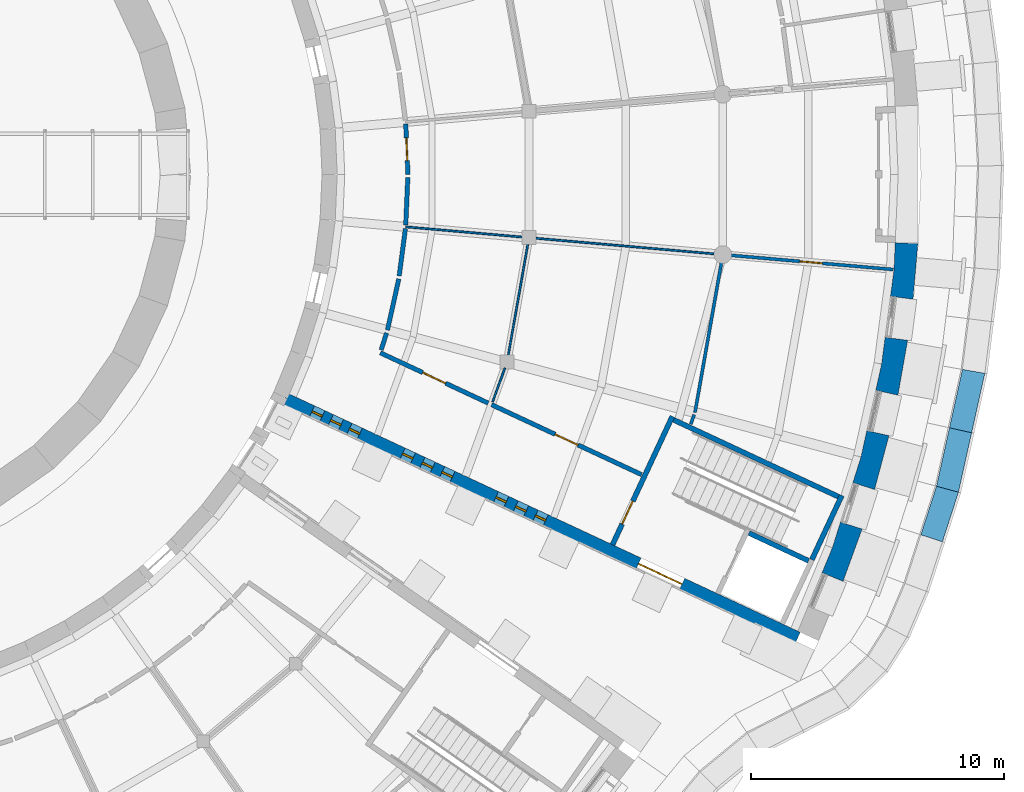
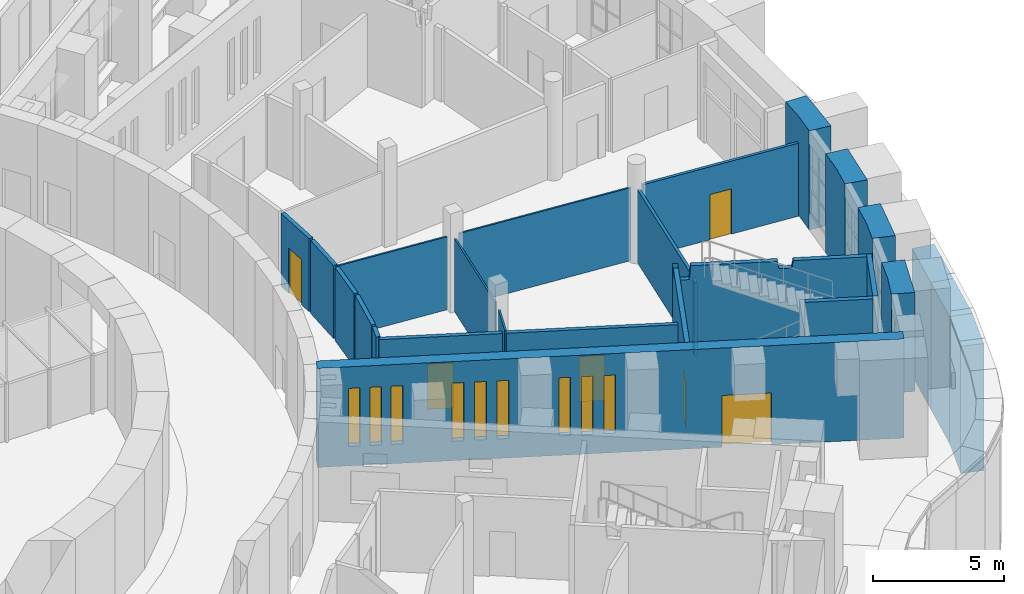
# One storey, part 53 of 85: 26 walls, 9 windows, 6 doors, 15 openings.
"""IFC4 building model written with IfcOpenShell, lengths in metres."""

from ifc_helpers import new_model, si_unit, direction, frame, frame_2d, origin, place, context, subcontext, project, spatial, polyline, rectangle, outline, extrude, material, layer, layer_set, type_object, element, fill, save


model = new_model("IFC4")

# Units and contexts
model_context = context("Model", 3, precision=1e-05, world=origin(), true_north=direction((0.0, 1.0)))
body_context = subcontext(model_context, "Body", "Model", "MODEL_VIEW")
ifc_project = project(units=[si_unit("LENGTHUNIT", "METRE"), si_unit("AREAUNIT", "SQUARE_METRE"), si_unit("VOLUMEUNIT", "CUBIC_METRE"), si_unit("PLANEANGLEUNIT", "RADIAN"), si_unit("MASSUNIT", "GRAM", prefix="KILO")], contexts=[model_context])

# Site, building, storey
site_placement = place(None, origin())
site = spatial("IfcSite", under=ifc_project, at=site_placement, CompositionType="ELEMENT")
building_placement = place(site_placement, origin())
building = spatial("IfcBuilding", under=site, at=building_placement, Name="Volute Hill Aquarium", CompositionType="ELEMENT")
storey_placement = place(building_placement, origin())
storey = spatial("IfcBuildingStorey", under=building, at=storey_placement, Name="L01", CompositionType="ELEMENT", Elevation=0.0)

# Wall, opening, door
ifc_material_1 = material(Name="Concrete C30/37", Category="concrete")
ifc_layer_1 = layer(ifc_material_1, 0.199951171875)
ifc_layer_set_1 = layer_set([ifc_layer_1], Name="Core wall 200 REI 60")
wall_type_1 = type_object("IfcWallType", Name="Core wall 200 REI 60", PredefinedType="SHEAR", material=ifc_layer_set_1)
wall_1_placement = place(storey_placement, frame((31.89599609375, -14.652587890625, 0.0), z_axis=(0.0, 0.0, 1.0), x_axis=(0.422632457081, 0.906301167505, 0.0)))
wall_1 = element("IfcWall", 1, at=wall_1_placement, inside=storey, type_object=wall_type_1, Name="wc/S4-A/L01/in", PredefinedType="SHEAR", context=body_context, shape_type="SweptSolid", body=[
    extrude(outline(polyline([(0.0, 0.0), (5.599853515625, 0.0), (5.60009765625, 4.35009765625), (5.550048828125, 3.7099609375), (5.35009765625, 3.7099609375), (5.300048828125, 4.35009765625), (0.0, 4.35009765625), (0.0, 0.0)])), frame((0.0, 0.10009765625, 0.0), z_axis=(0.0, -1.0, 0.0), x_axis=(1.0, 0.0, 0.0)), (0.0, 0.0, 1.0), 0.199951171875),
])
opening_1_placement = place(wall_1_placement, frame((0.89990234375, 0.0, 0.0)))
opening_1 = element("IfcOpeningElement", 2, at=opening_1_placement, cuts=wall_1, Name="Opening D4.01.AS", PredefinedType="OPENING", context=body_context, shape_type="SweptSolid", body=[
    extrude(rectangle(XDim=1.0, YDim=2.10009765625, at=frame_2d((0.5, 1.050048828125))), frame((0.0, 0.10986328125, 0.0), z_axis=(0.0, -1.0, 0.0), x_axis=(1.0, 0.0, 0.0)), (0.0, 0.0, 1.0), 0.219970703125),
])
ifc_material_2 = material(Name="Timber, fire-rated", Category="wood")
door_type_1 = type_object("IfcDoorType", Name="Door 1000 x 2100 single EI1 30", OperationType="SINGLE_SWING_LEFT", PredefinedType="DOOR", material=ifc_material_2)
door_1_placement = place(opening_1_placement, origin())
door_1 = element("IfcDoor", 3, at=door_1_placement, inside=storey, type_object=door_type_1, Name="d/S4-A/L01/st", OperationType="SINGLE_SWING_RIGHT", OverallHeight=2.10009765625, OverallWidth=1.0, PredefinedType="DOOR", context=body_context, shape_type="SweptSolid", body=[
    extrude(rectangle(XDim=1.0, YDim=2.10009765625, at=frame_2d((0.5, 1.050048828125))), frame((0.0, 0.02490234375, 0.0), z_axis=(0.0, -1.0, 0.0), x_axis=(1.0, 0.0, 0.0)), (0.0, 0.0, 1.0), 0.050048828125),
])
fill(opening_1, door_1)

# Walls
wall_2_placement = place(storey_placement, frame((34.31103515625, -9.710205078125, 0.0), z_axis=(0.0, 0.0, 1.0), x_axis=(0.906300917592, -0.422632992999, 0.0)))
element("IfcWall", 4, at=wall_2_placement, inside=storey, type_object=wall_type_1, Name="wc/S4-A/L01/side", PredefinedType="SHEAR", context=body_context, shape_type="SweptSolid", body=[
    extrude(outline(polyline([(0.0, 0.0), (7.199951171875, 0.0), (7.199951171875, 4.35009765625), (4.392578125, 4.35009765625), (4.342529296875, 4.010009765625), (3.842529296875, 4.010009765625), (3.79248046875, 4.35009765625), (0.477294921875, 4.35009765625), (0.42724609375, 3.7099609375), (0.050048828125, 3.7099609375), (0.0, 4.35009765625), (0.0, 0.0)])), frame((0.0, 0.10009765625, 0.0), z_axis=(0.0, -1.0, 0.0), x_axis=(1.0, 0.0, 0.0)), (0.0, 0.0, 1.0), 0.199951171875),
])
wall_3_placement = place(storey_placement, frame((39.785888671875, -15.242431640625, 0.0), z_axis=(0.0, 0.0, 1.0), x_axis=(0.422599061068, 0.90631674021, 0.0)))
element("IfcWall", 5, at=wall_3_placement, inside=storey, type_object=wall_type_1, Name="wc/S4-A/L01/out-b", PredefinedType="SHEAR", context=body_context, shape_type="SweptSolid", body=[
    extrude(rectangle(XDim=2.80029296875, YDim=0.199951171875, at=frame_2d((1.400146484375, 0.0))), origin(), (0.0, 0.0, 1.0), 4.35009765625),
])

# Wall, opening, door
ifc_material_3 = material(Name="Gypsum board on steel studs", Category="steel")
ifc_layer_2 = layer(ifc_material_3, 0.175048828125)
ifc_layer_set_2 = layer_set([ifc_layer_2], Name="Corridor partition 175 EI 60")
wall_type_2 = type_object("IfcWallType", Name="Corridor partition 175 EI 60", PredefinedType="PARTITIONING", material=ifc_layer_set_2)
wall_4_placement = place(storey_placement, frame((27.109619140625, -9.110595703125, 0.0), z_axis=(0.0, 0.0, 1.0), x_axis=(0.906297375057, -0.422640589585, 0.0)))
wall_4 = element("IfcWall", 6, at=wall_4_placement, inside=storey, type_object=wall_type_2, Name="pw/S4/L01/004", PredefinedType="PARTITIONING", context=body_context, shape_type="SweptSolid", body=[
    extrude(rectangle(XDim=6.550048828125, YDim=0.175048828125, at=frame_2d((3.27490234375, 0.0))), origin(), (0.0, 0.0, 1.0), 3.389892578125),
])
opening_2_placement = place(wall_4_placement, frame((2.77490234375, 0.0, 0.0)))
opening_2 = element("IfcOpeningElement", 7, at=opening_2_placement, cuts=wall_4, Name="Opening D4.01.03", PredefinedType="OPENING", context=body_context, shape_type="SweptSolid", body=[
    extrude(rectangle(XDim=1.0, YDim=2.10009765625, at=frame_2d((0.5, 1.050048828125))), frame((0.0, 0.097412109375, 0.0), z_axis=(0.0, -1.0, 0.0), x_axis=(1.0, 0.0, 0.0)), (0.0, 0.0, 1.0), 0.195068359375),
])
door_2_placement = place(opening_2_placement, origin())
door_2 = element("IfcDoor", 8, at=door_2_placement, inside=storey, type_object=door_type_1, Name="d/S4/L01/03", OperationType="SINGLE_SWING_LEFT", OverallHeight=2.10009765625, OverallWidth=1.0, PredefinedType="DOOR", context=body_context, shape_type="SweptSolid", body=[
    extrude(rectangle(XDim=1.0, YDim=2.10009765625, at=frame_2d((0.5, 1.050048828125))), frame((0.0, 0.02490234375, 0.0), z_axis=(0.0, -1.0, 0.0), x_axis=(1.0, 0.0, 0.0)), (0.0, 0.0, 1.0), 0.050048828125),
])
fill(opening_2, door_2)

wall_5_placement = place(storey_placement, frame((22.7060546875, -7.057373046875, 0.0), z_axis=(0.0, 0.0, 1.0), x_axis=(0.906308936169, -0.422615797409, 0.0)))
wall_5 = element("IfcWall", 9, at=wall_5_placement, inside=storey, type_object=wall_type_2, Name="pw/S4/L01/009", PredefinedType="PARTITIONING", context=body_context, shape_type="SweptSolid", body=[
    extrude(rectangle(XDim=4.708740234375, YDim=0.175048828125, at=frame_2d((2.3544921875, 0.0))), origin(), (0.0, 0.0, 1.0), 3.389892578125),
])
opening_3_placement = place(wall_5_placement, frame((1.8544921875, 0.0, 0.0)))
opening_3 = element("IfcOpeningElement", 10, at=opening_3_placement, cuts=wall_5, Name="Opening D4.01.02", PredefinedType="OPENING", context=body_context, shape_type="SweptSolid", body=[
    extrude(rectangle(XDim=1.0, YDim=2.10009765625, at=frame_2d((0.5, 1.050048828125))), frame((0.0, 0.097412109375, 0.0), z_axis=(0.0, -1.0, 0.0), x_axis=(1.0, 0.0, 0.0)), (0.0, 0.0, 1.0), 0.195068359375),
])
door_3_placement = place(opening_3_placement, origin())
door_3 = element("IfcDoor", 11, at=door_3_placement, inside=storey, type_object=door_type_1, Name="d/S4/L01/02", OperationType="SINGLE_SWING_RIGHT", OverallHeight=2.10009765625, OverallWidth=1.0, PredefinedType="DOOR", context=body_context, shape_type="SweptSolid", body=[
    extrude(rectangle(XDim=1.0, YDim=2.10009765625, at=frame_2d((0.5, 1.050048828125))), frame((0.0, 0.02490234375, 0.0), z_axis=(0.0, -1.0, 0.0), x_axis=(1.0, 0.0, 0.0)), (0.0, 0.0, 1.0), 0.050048828125),
])
fill(opening_3, door_3)

# Wall
wall_6_placement = place(storey_placement, frame((23.4384765625, -4.1328125, 0.0), z_axis=(0.0, 0.0, 1.0), x_axis=(-0.216469786072, -0.97628931763, 0.0)))
element("IfcWall", 12, at=wall_6_placement, inside=storey, type_object=wall_type_2, Name="pw/S4/L01/022", PredefinedType="PARTITIONING", context=body_context, shape_type="SweptSolid", body=[
    extrude(rectangle(XDim=2.076416015625, YDim=0.175048828125, at=frame_2d((1.0380859375, 0.0))), origin(), (0.0, 0.0, 1.0), 3.389892578125),
])

# Wall, opening, door
wall_7_placement = place(storey_placement, frame((23.712890625, 1.994384765625, 0.0), z_axis=(0.0, 0.0, 1.0), x_axis=(0.043660127286, -0.999046442006, 0.0)))
wall_7 = element("IfcWall", 13, at=wall_7_placement, inside=storey, type_object=wall_type_2, Name="pw/S4/L01/023", PredefinedType="PARTITIONING", context=body_context, shape_type="SweptSolid", body=[
    extrude(rectangle(XDim=1.996337890625, YDim=0.175048828125, at=frame_2d((0.998046875, 0.0))), origin(), (0.0, 0.0, 1.0), 3.389892578125),
])
opening_4_placement = place(wall_7_placement, frame((0.548095703125, 0.0, 0.0)))
opening_4 = element("IfcOpeningElement", 14, at=opening_4_placement, cuts=wall_7, Name="Opening D4.01.01", PredefinedType="OPENING", context=body_context, shape_type="SweptSolid", body=[
    extrude(rectangle(XDim=0.89990234375, YDim=2.10009765625, at=frame_2d((0.449951171875, 1.050048828125))), frame((0.0, 0.097412109375, 0.0), z_axis=(0.0, -1.0, 0.0), x_axis=(1.0, 0.0, 0.0)), (0.0, 0.0, 1.0), 0.195068359375),
])
ifc_material_4 = material(Name="Timber, fire-rated", Category="wood")
door_type_2 = type_object("IfcDoorType", Name="Door 900 x 2100 wc single EI1 30", OperationType="SINGLE_SWING_LEFT", PredefinedType="DOOR", material=ifc_material_4)
door_4_placement = place(opening_4_placement, origin())
door_4 = element("IfcDoor", 15, at=door_4_placement, inside=storey, type_object=door_type_2, Name="d/S4/L01/01", OperationType="SINGLE_SWING_LEFT", OverallHeight=2.10009765625, OverallWidth=0.89990234375, PredefinedType="DOOR", context=body_context, shape_type="SweptSolid", body=[
    extrude(rectangle(XDim=0.89990234375, YDim=2.10009765625, at=frame_2d((0.449951171875, 1.050048828125))), frame((0.0, 0.02490234375, 0.0), z_axis=(0.0, -1.0, 0.0), x_axis=(1.0, 0.0, 0.0)), (0.0, 0.0, 1.0), 0.050048828125),
])
fill(opening_4, door_4)

# Walls
wall_8_placement = place(storey_placement, frame((23.794921875, -0.117431640625, 0.0), z_axis=(0.0, 0.0, 1.0), x_axis=(-0.043633298046, -0.999047614131, 0.0)))
element("IfcWall", 16, at=wall_8_placement, inside=storey, type_object=wall_type_2, Name="pw/S4/L01/024", PredefinedType="PARTITIONING", context=body_context, shape_type="SweptSolid", body=[
    extrude(rectangle(XDim=1.89111328125, YDim=0.175048828125, at=frame_2d((0.945556640625, 0.0))), origin(), (0.0, 0.0, 1.0), 3.389892578125),
])
wall_9_placement = place(storey_placement, frame((23.70068359375, -2.14111328125, 0.0), z_axis=(0.0, 0.0, 1.0), x_axis=(-0.13062479592, -0.991431874962, 0.0)))
element("IfcWall", 17, at=wall_9_placement, inside=storey, type_object=wall_type_2, Name="pw/S4/L01/026", PredefinedType="PARTITIONING", context=body_context, shape_type="SweptSolid", body=[
    extrude(rectangle(XDim=1.891357421875, YDim=0.175048828125, at=frame_2d((0.94580078125, 0.0))), origin(), (0.0, 0.0, 1.0), 3.389892578125),
])
wall_10_placement = place(storey_placement, frame((22.95361328125, -6.27197265625, 0.0), z_axis=(0.0, 0.0, 1.0), x_axis=(-0.300518931654, -0.953775849829, 0.0)))
element("IfcWall", 18, at=wall_10_placement, inside=storey, type_object=wall_type_2, Name="pw/S4/L01/030", PredefinedType="PARTITIONING", context=body_context, shape_type="SweptSolid", body=[
    extrude(rectangle(XDim=0.7060546875, YDim=0.175048828125, at=frame_2d((0.35302734375, 0.0))), origin(), (0.0, 0.0, 1.0), 3.389892578125),
])

# Wall, openings, door, windows
ifc_material_5 = material(Name="Concrete C35/45", Category="concrete")
ifc_layer_3 = layer(ifc_material_5, 0.5)
ifc_layer_set_3 = layer_set([ifc_layer_3], Name="End wall 500 C35/45")
wall_type_3 = type_object("IfcWallType", Name="End wall 500 C35/45", PredefinedType="SHEAR", material=ifc_layer_set_3)
wall_11_placement = place(storey_placement, frame((18.920654296875, -8.8779296875, 0.0), z_axis=(0.0, 0.0, 1.0), x_axis=(0.906305061028, -0.422624107637, 0.0)))
wall_11 = element("IfcWall", 19, at=wall_11_placement, inside=storey, type_object=wall_type_3, Name="sw/S4/L01/endA", PredefinedType="SHEAR", context=body_context, shape_type="SweptSolid", body=[
    extrude(rectangle(XDim=22.400146484375, YDim=0.5, at=frame_2d((11.2001953125, 0.0))), origin(), (0.0, 0.0, 1.0), 4.60009765625),
])
opening_5_placement = place(wall_11_placement, frame((1.190185546875, 0.0, 0.89990234375)))
opening_5 = element("IfcOpeningElement", 20, at=opening_5_placement, cuts=wall_11, Name="Opening W12", PredefinedType="OPENING", context=body_context, shape_type="SweptSolid", body=[
    extrude(rectangle(XDim=0.449951171875, YDim=2.699951171875, at=frame_2d((0.22509765625, 1.35009765625))), frame((0.0, 0.260009765625, 0.0), z_axis=(0.0, -1.0, 0.0), x_axis=(1.0, 0.0, 0.0)), (0.0, 0.0, 1.0), 0.52001953125),
])
opening_6_placement = place(wall_11_placement, frame((2.008056640625, 0.0, 0.89990234375)))
opening_6 = element("IfcOpeningElement", 21, at=opening_6_placement, cuts=wall_11, Name="Opening W12", PredefinedType="OPENING", context=body_context, shape_type="SweptSolid", body=[
    extrude(rectangle(XDim=0.449951171875, YDim=2.699951171875, at=frame_2d((0.22509765625, 1.35009765625))), frame((0.0, 0.260009765625, 0.0), z_axis=(0.0, -1.0, 0.0), x_axis=(1.0, 0.0, 0.0)), (0.0, 0.0, 1.0), 0.52001953125),
])
opening_7_placement = place(wall_11_placement, frame((2.82568359375, 0.0, 0.89990234375)))
opening_7 = element("IfcOpeningElement", 22, at=opening_7_placement, cuts=wall_11, Name="Opening W12", PredefinedType="OPENING", context=body_context, shape_type="SweptSolid", body=[
    extrude(rectangle(XDim=0.449951171875, YDim=2.699951171875, at=frame_2d((0.22509765625, 1.35009765625))), frame((0.0, 0.260009765625, 0.0), z_axis=(0.0, -1.0, 0.0), x_axis=(1.0, 0.0, 0.0)), (0.0, 0.0, 1.0), 0.52001953125),
])
opening_8_placement = place(wall_11_placement, frame((5.146240234375, 0.0, 0.89990234375)))
opening_8 = element("IfcOpeningElement", 23, at=opening_8_placement, cuts=wall_11, Name="Opening W12", PredefinedType="OPENING", context=body_context, shape_type="SweptSolid", body=[
    extrude(rectangle(XDim=0.449951171875, YDim=2.699951171875, at=frame_2d((0.22509765625, 1.35009765625))), frame((0.0, 0.260009765625, 0.0), z_axis=(0.0, -1.0, 0.0), x_axis=(1.0, 0.0, 0.0)), (0.0, 0.0, 1.0), 0.52001953125),
])
opening_9_placement = place(wall_11_placement, frame((6.009033203125, 0.0, 0.89990234375)))
opening_9 = element("IfcOpeningElement", 24, at=opening_9_placement, cuts=wall_11, Name="Opening W12", PredefinedType="OPENING", context=body_context, shape_type="SweptSolid", body=[
    extrude(rectangle(XDim=0.449951171875, YDim=2.699951171875, at=frame_2d((0.22509765625, 1.35009765625))), frame((0.0, 0.260009765625, 0.0), z_axis=(0.0, -1.0, 0.0), x_axis=(1.0, 0.0, 0.0)), (0.0, 0.0, 1.0), 0.52001953125),
])
opening_10_placement = place(wall_11_placement, frame((6.871826171875, 0.0, 0.89990234375)))
opening_10 = element("IfcOpeningElement", 25, at=opening_10_placement, cuts=wall_11, Name="Opening W12", PredefinedType="OPENING", context=body_context, shape_type="SweptSolid", body=[
    extrude(rectangle(XDim=0.449951171875, YDim=2.699951171875, at=frame_2d((0.22509765625, 1.35009765625))), frame((0.0, 0.260009765625, 0.0), z_axis=(0.0, -1.0, 0.0), x_axis=(1.0, 0.0, 0.0)), (0.0, 0.0, 1.0), 0.52001953125),
])
opening_11_placement = place(wall_11_placement, frame((9.22216796875, 0.0, 0.89990234375)))
opening_11 = element("IfcOpeningElement", 26, at=opening_11_placement, cuts=wall_11, Name="Opening W12", PredefinedType="OPENING", context=body_context, shape_type="SweptSolid", body=[
    extrude(rectangle(XDim=0.449951171875, YDim=2.699951171875, at=frame_2d((0.22509765625, 1.35009765625))), frame((0.0, 0.260009765625, 0.0), z_axis=(0.0, -1.0, 0.0), x_axis=(1.0, 0.0, 0.0)), (0.0, 0.0, 1.0), 0.52001953125),
])
opening_12_placement = place(wall_11_placement, frame((10.0849609375, 0.0, 0.89990234375)))
opening_12 = element("IfcOpeningElement", 27, at=opening_12_placement, cuts=wall_11, Name="Opening W12", PredefinedType="OPENING", context=body_context, shape_type="SweptSolid", body=[
    extrude(rectangle(XDim=0.449951171875, YDim=2.699951171875, at=frame_2d((0.22509765625, 1.35009765625))), frame((0.0, 0.260009765625, 0.0), z_axis=(0.0, -1.0, 0.0), x_axis=(1.0, 0.0, 0.0)), (0.0, 0.0, 1.0), 0.52001953125),
])
opening_13_placement = place(wall_11_placement, frame((10.94775390625, 0.0, 0.89990234375)))
opening_13 = element("IfcOpeningElement", 28, at=opening_13_placement, cuts=wall_11, Name="Opening W12", PredefinedType="OPENING", context=body_context, shape_type="SweptSolid", body=[
    extrude(rectangle(XDim=0.449951171875, YDim=2.699951171875, at=frame_2d((0.22509765625, 1.35009765625))), frame((0.0, 0.260009765625, 0.0), z_axis=(0.0, -1.0, 0.0), x_axis=(1.0, 0.0, 0.0)), (0.0, 0.0, 1.0), 0.52001953125),
])
opening_14_placement = place(wall_11_placement, frame((15.449951171875, 0.0, 0.0)))
opening_14 = element("IfcOpeningElement", 29, at=opening_14_placement, cuts=wall_11, Name="Opening D4.01.AX", PredefinedType="OPENING", context=body_context, shape_type="SweptSolid", body=[
    extrude(rectangle(XDim=1.89990234375, YDim=2.39990234375, at=frame_2d((0.949951171875, 1.199951171875))), frame((0.0, 0.260009765625, 0.0), z_axis=(0.0, -1.0, 0.0), x_axis=(1.0, 0.0, 0.0)), (0.0, 0.0, 1.0), 0.52001953125),
])
ifc_material_6 = material(Name="Steel, fire-rated", Category="steel")
door_type_3 = type_object("IfcDoorType", Name="Door 1900 x 2400 stair exit double EI1 30", OperationType="DOUBLE_DOOR_SINGLE_SWING", PredefinedType="DOOR", material=ifc_material_6)
door_5_placement = place(opening_14_placement, origin())
door_5 = element("IfcDoor", 30, at=door_5_placement, inside=storey, type_object=door_type_3, Name="d/S4-A/L01/ex", OperationType="SINGLE_SWING_LEFT", OverallHeight=2.39990234375, OverallWidth=1.89990234375, PredefinedType="DOOR", context=body_context, shape_type="SweptSolid", body=[
    extrude(rectangle(XDim=1.89990234375, YDim=2.39990234375, at=frame_2d((0.949951171875, 1.199951171875))), frame((0.0, 0.02490234375, 0.0), z_axis=(0.0, -1.0, 0.0), x_axis=(1.0, 0.0, 0.0)), (0.0, 0.0, 1.0), 0.050048828125),
])
fill(opening_14, door_5)
ifc_material_7 = material(Name="Aluminium and glass", Category="aluminium")
window_type = type_object("IfcWindowType", Name="End wall window 450x2700", PartitioningType="SINGLE_PANEL", PredefinedType="WINDOW", material=ifc_material_7)
window_1_placement = place(opening_5_placement, origin())
window_1 = element("IfcWindow", 31, at=window_1_placement, inside=storey, type_object=window_type, Name="End wall window S4A L01 1.1", OverallHeight=2.699951171875, OverallWidth=0.449951171875, PartitioningType="SINGLE_PANEL", PredefinedType="WINDOW", context=body_context, shape_type="SweptSolid", body=[
    extrude(rectangle(XDim=0.449951171875, YDim=2.699951171875, at=frame_2d((0.22509765625, 1.35009765625))), frame((0.0, 0.030029296875, 0.0), z_axis=(0.0, -1.0, 0.0), x_axis=(1.0, 0.0, 0.0)), (0.0, 0.0, 1.0), 0.06005859375),
])
fill(opening_5, window_1)
window_2_placement = place(opening_6_placement, origin())
window_2 = element("IfcWindow", 32, at=window_2_placement, inside=storey, type_object=window_type, Name="End wall window S4A L01 1.2", OverallHeight=2.699951171875, OverallWidth=0.449951171875, PartitioningType="SINGLE_PANEL", PredefinedType="WINDOW", context=body_context, shape_type="SweptSolid", body=[
    extrude(rectangle(XDim=0.449951171875, YDim=2.699951171875, at=frame_2d((0.22509765625, 1.35009765625))), frame((0.0, 0.030029296875, 0.0), z_axis=(0.0, -1.0, 0.0), x_axis=(1.0, 0.0, 0.0)), (0.0, 0.0, 1.0), 0.06005859375),
])
fill(opening_6, window_2)
window_3_placement = place(opening_7_placement, origin())
window_3 = element("IfcWindow", 33, at=window_3_placement, inside=storey, type_object=window_type, Name="End wall window S4A L01 1.3", OverallHeight=2.699951171875, OverallWidth=0.449951171875, PartitioningType="SINGLE_PANEL", PredefinedType="WINDOW", context=body_context, shape_type="SweptSolid", body=[
    extrude(rectangle(XDim=0.449951171875, YDim=2.699951171875, at=frame_2d((0.22509765625, 1.35009765625))), frame((0.0, 0.030029296875, 0.0), z_axis=(0.0, -1.0, 0.0), x_axis=(1.0, 0.0, 0.0)), (0.0, 0.0, 1.0), 0.06005859375),
])
fill(opening_7, window_3)
window_4_placement = place(opening_8_placement, origin())
window_4 = element("IfcWindow", 34, at=window_4_placement, inside=storey, type_object=window_type, Name="End wall window S4A L01 2.1", OverallHeight=2.699951171875, OverallWidth=0.449951171875, PartitioningType="SINGLE_PANEL", PredefinedType="WINDOW", context=body_context, shape_type="SweptSolid", body=[
    extrude(rectangle(XDim=0.449951171875, YDim=2.699951171875, at=frame_2d((0.22509765625, 1.35009765625))), frame((0.0, 0.030029296875, 0.0), z_axis=(0.0, -1.0, 0.0), x_axis=(1.0, 0.0, 0.0)), (0.0, 0.0, 1.0), 0.06005859375),
])
fill(opening_8, window_4)
window_5_placement = place(opening_9_placement, origin())
window_5 = element("IfcWindow", 35, at=window_5_placement, inside=storey, type_object=window_type, Name="End wall window S4A L01 2.2", OverallHeight=2.699951171875, OverallWidth=0.449951171875, PartitioningType="SINGLE_PANEL", PredefinedType="WINDOW", context=body_context, shape_type="SweptSolid", body=[
    extrude(rectangle(XDim=0.449951171875, YDim=2.699951171875, at=frame_2d((0.22509765625, 1.35009765625))), frame((0.0, 0.030029296875, 0.0), z_axis=(0.0, -1.0, 0.0), x_axis=(1.0, 0.0, 0.0)), (0.0, 0.0, 1.0), 0.06005859375),
])
fill(opening_9, window_5)
window_6_placement = place(opening_10_placement, origin())
window_6 = element("IfcWindow", 36, at=window_6_placement, inside=storey, type_object=window_type, Name="End wall window S4A L01 2.3", OverallHeight=2.699951171875, OverallWidth=0.449951171875, PartitioningType="SINGLE_PANEL", PredefinedType="WINDOW", context=body_context, shape_type="SweptSolid", body=[
    extrude(rectangle(XDim=0.449951171875, YDim=2.699951171875, at=frame_2d((0.22509765625, 1.35009765625))), frame((0.0, 0.030029296875, 0.0), z_axis=(0.0, -1.0, 0.0), x_axis=(1.0, 0.0, 0.0)), (0.0, 0.0, 1.0), 0.06005859375),
])
fill(opening_10, window_6)
window_7_placement = place(opening_11_placement, origin())
window_7 = element("IfcWindow", 37, at=window_7_placement, inside=storey, type_object=window_type, Name="End wall window S4A L01 3.1", OverallHeight=2.699951171875, OverallWidth=0.449951171875, PartitioningType="SINGLE_PANEL", PredefinedType="WINDOW", context=body_context, shape_type="SweptSolid", body=[
    extrude(rectangle(XDim=0.449951171875, YDim=2.699951171875, at=frame_2d((0.22509765625, 1.35009765625))), frame((0.0, 0.030029296875, 0.0), z_axis=(0.0, -1.0, 0.0), x_axis=(1.0, 0.0, 0.0)), (0.0, 0.0, 1.0), 0.06005859375),
])
fill(opening_11, window_7)
window_8_placement = place(opening_12_placement, origin())
window_8 = element("IfcWindow", 38, at=window_8_placement, inside=storey, type_object=window_type, Name="End wall window S4A L01 3.2", OverallHeight=2.699951171875, OverallWidth=0.449951171875, PartitioningType="SINGLE_PANEL", PredefinedType="WINDOW", context=body_context, shape_type="SweptSolid", body=[
    extrude(rectangle(XDim=0.449951171875, YDim=2.699951171875, at=frame_2d((0.22509765625, 1.35009765625))), frame((0.0, 0.030029296875, 0.0), z_axis=(0.0, -1.0, 0.0), x_axis=(1.0, 0.0, 0.0)), (0.0, 0.0, 1.0), 0.06005859375),
])
fill(opening_12, window_8)
window_9_placement = place(opening_13_placement, origin())
window_9 = element("IfcWindow", 39, at=window_9_placement, inside=storey, type_object=window_type, Name="End wall window S4A L01 3.3", OverallHeight=2.699951171875, OverallWidth=0.449951171875, PartitioningType="SINGLE_PANEL", PredefinedType="WINDOW", context=body_context, shape_type="SweptSolid", body=[
    extrude(rectangle(XDim=0.449951171875, YDim=2.699951171875, at=frame_2d((0.22509765625, 1.35009765625))), frame((0.0, 0.030029296875, 0.0), z_axis=(0.0, -1.0, 0.0), x_axis=(1.0, 0.0, 0.0)), (0.0, 0.0, 1.0), 0.06005859375),
])
fill(opening_13, window_9)

# Walls
ifc_material_8 = material(Name="Precast concrete C40/50", Category="concrete")
ifc_layer_4 = layer(ifc_material_8, 0.89990234375)
ifc_layer_set_4 = layer_set([ifc_layer_4], Name="Outer pier precast concrete C40/50 900")
wall_type_4 = type_object("IfcWallType", Name="Outer pier precast concrete C40/50 900", PredefinedType="NOTDEFINED", material=ifc_layer_set_4)
wall_12_placement = place(storey_placement, origin())
element("IfcWall", 40, at=wall_12_placement, inside=storey, type_object=wall_type_4, Name="Outer pier OWP S4 L01 2", PredefinedType="NOTDEFINED", context=body_context, shape_type="SweptSolid", body=[
    extrude(outline(polyline([(40.1865234375, -15.759765625), (41.01806640625, -16.10400390625), (41.773193359375, -14.029541015625), (40.914794921875, -13.7587890625), (40.59423828125, -14.775146484375), (40.1865234375, -15.759765625)])), origin(), (0.0, 0.0, 1.0), 4.60009765625),
])
wall_13_placement = place(storey_placement, origin())
element("IfcWall", 41, at=wall_13_placement, inside=storey, type_object=wall_type_4, Name="Outer pier OWP S4 L01 3", PredefinedType="NOTDEFINED", context=body_context, shape_type="SweptSolid", body=[
    extrude(outline(polyline([(41.4072265625, -12.197265625), (42.265625, -12.4677734375), (42.8369140625, -10.33544921875), (41.958251953125, -10.140625), (41.7275390625, -11.180908203125), (41.4072265625, -12.197265625)])), origin(), (0.0, 0.0, 1.0), 4.60009765625),
])
wall_14_placement = place(storey_placement, origin())
element("IfcWall", 42, at=wall_14_placement, inside=storey, type_object=wall_type_4, Name="Outer pier OWP S4 L01 4", PredefinedType="NOTDEFINED", context=body_context, shape_type="SweptSolid", body=[
    extrude(outline(polyline([(42.312744140625, -8.5419921875), (43.19140625, -8.73681640625), (43.57470703125, -6.5625), (42.682373046875, -6.445068359375), (42.543212890625, -7.50146484375), (42.312744140625, -8.5419921875)])), origin(), (0.0, 0.0, 1.0), 4.60009765625),
])
wall_15_placement = place(storey_placement, origin())
element("IfcWall", 43, at=wall_15_placement, inside=storey, type_object=wall_type_4, Name="Outer pier OWP S4 L01 5", PredefinedType="NOTDEFINED", context=body_context, shape_type="SweptSolid", body=[
    extrude(outline(polyline([(42.89599609375, -4.821533203125), (43.788330078125, -4.93896484375), (43.980712890625, -2.73974609375), (43.081787109375, -2.700439453125), (43.03515625, -3.76513671875), (42.89599609375, -4.821533203125)])), origin(), (0.0, 0.0, 1.0), 4.60009765625),
])
ifc_material_9 = material(Name="Concrete C30/37", Category="concrete")
ifc_layer_5 = layer(ifc_material_9, 0.199951171875)
ifc_layer_set_5 = layer_set([ifc_layer_5], Name="Shaft wall 200 EI 60")
wall_type_5 = type_object("IfcWallType", Name="Shaft wall 200 EI 60", PredefinedType="SOLIDWALL", material=ifc_layer_set_5)
wall_16_placement = place(storey_placement, frame((37.296630859375, -14.19189453125, 0.0), z_axis=(0.0, 0.0, 1.0), x_axis=(0.906300648467, -0.422633570115, 0.0)))
element("IfcWall", 44, at=wall_16_placement, inside=storey, type_object=wall_type_5, Name="wc/S4-A/L01/shaft-side", PredefinedType="SOLIDWALL", context=body_context, shape_type="SweptSolid", body=[
    extrude(rectangle(XDim=2.60009765625, YDim=0.199951171875, at=frame_2d((1.300048828125, 0.0))), origin(), (0.0, 0.0, 1.0), 4.35009765625),
])
ifc_material_10 = material(Name="Gypsum board on steel studs", Category="steel")
ifc_layer_6 = layer(ifc_material_10, 0.074951171875)
ifc_layer_set_6 = layer_set([ifc_layer_6], Name="Shopfitting stud partition 75")
wall_type_6 = type_object("IfcWallType", Name="Shopfitting stud partition 75", PredefinedType="PARTITIONING", material=ifc_layer_set_6)
wall_17_placement = place(storey_placement, frame((28.829833984375, -2.522216796875, 0.0), z_axis=(0.0, 0.0, 1.0), x_axis=(0.996193240342, -0.087172403299, 0.0)))
element("IfcWall", 45, at=wall_17_placement, inside=storey, type_object=wall_type_6, Name="pw/S4/L01/001", PredefinedType="PARTITIONING", context=body_context, shape_type="SweptSolid", body=[
    extrude(rectangle(XDim=7.22021484375, YDim=0.074951171875, at=frame_2d((3.610107421875, 0.0))), origin(), (0.0, 0.0, 1.0), 3.389892578125),
])
wall_18_placement = place(storey_placement, frame((23.70947265625, -2.07421875, 0.0), z_axis=(0.0, 0.0, 1.0), x_axis=(0.996192864458, -0.087176698736, 0.0)))
element("IfcWall", 46, at=wall_18_placement, inside=storey, type_object=wall_type_6, Name="pw/S4/L01/010", PredefinedType="PARTITIONING", context=body_context, shape_type="SweptSolid", body=[
    extrude(rectangle(XDim=4.66015625, YDim=0.074951171875, at=frame_2d((2.330078125, 0.0))), origin(), (0.0, 0.0, 1.0), 3.389892578125),
])
wall_19_placement = place(storey_placement, frame((28.54931640625, -2.737548828125, 0.0), z_axis=(0.0, 0.0, 1.0), x_axis=(-0.173696036677, -0.984799312978, 0.0)))
element("IfcWall", 47, at=wall_19_placement, inside=storey, type_object=wall_type_6, Name="pw/S4/L01/012", PredefinedType="PARTITIONING", context=body_context, shape_type="SweptSolid", body=[
    extrude(rectangle(XDim=4.523193359375, YDim=0.074951171875, at=frame_2d((2.26171875, 0.0))), origin(), (0.0, 0.0, 1.0), 3.389892578125),
])
wall_20_placement = place(storey_placement, frame((27.64013671875, -7.6533203125, 0.0), z_axis=(0.0, 0.0, 1.0), x_axis=(-0.342016566384, -0.939693922679, 0.0)))
element("IfcWall", 48, at=wall_20_placement, inside=storey, type_object=wall_type_6, Name="pw/S4/L01/027", PredefinedType="PARTITIONING", context=body_context, shape_type="SweptSolid", body=[
    extrude(rectangle(XDim=1.433349609375, YDim=0.074951171875, at=frame_2d((0.716796875, 0.0))), origin(), (0.0, 0.0, 1.0), 3.389892578125),
])
ifc_material_11 = material(Name="Concrete C30/37", Category="concrete")
ifc_layer_7 = layer(ifc_material_11, 0.89990234375)
ifc_layer_set_7 = layer_set([ifc_layer_7], Name="Site edge retaining wall C30/37 900")
wall_type_7 = type_object("IfcWallType", Name="Site edge retaining wall C30/37 900", PredefinedType="SOLIDWALL", material=ifc_layer_set_7)
wall_21_placement = place(storey_placement, frame((0.0, 0.0, -6.0)))
element("IfcWall", 49, at=wall_21_placement, inside=storey, type_object=wall_type_7, Name="rw/E45UP/L01/1", PredefinedType="SOLIDWALL", context=body_context, shape_type="SweptSolid", body=[
    extrude(outline(polyline([(45.58642578125, -12.574951171875), (45.58642578125, -12.574951171875), (44.717041015625, -12.338623046875), (44.717041015625, -12.338623046875), (44.095458984375, -14.260498046875), (44.95166015625, -14.53759765625), (45.58642578125, -12.574951171875)])), origin(), (0.0, 0.0, 1.0), 5.89990234375),
])
wall_22_placement = place(storey_placement, frame((0.0, 0.0, -6.0)))
element("IfcWall", 50, at=wall_22_placement, inside=storey, type_object=wall_type_7, Name="rw/E46UP/L01/0", PredefinedType="SOLIDWALL", context=body_context, shape_type="SweptSolid", body=[
    extrude(outline(polyline([(45.58642578125, -12.574951171875), (46.108154296875, -10.221923828125), (45.2294921875, -10.027099609375), (44.717041015625, -12.338623046875), (45.58642578125, -12.574951171875)])), origin(), (0.0, 0.0, 1.0), 5.89990234375),
])
wall_23_placement = place(storey_placement, frame((0.0, 0.0, -6.0)))
element("IfcWall", 51, at=wall_23_placement, inside=storey, type_object=wall_type_7, Name="rw/E46UP/L01/1", PredefinedType="SOLIDWALL", context=body_context, shape_type="SweptSolid", body=[
    extrude(outline(polyline([(46.108154296875, -10.221923828125), (46.629638671875, -7.868896484375), (45.741943359375, -7.7158203125), (45.2294921875, -10.027099609375), (46.108154296875, -10.221923828125)])), origin(), (0.0, 0.0, 1.0), 5.89990234375),
])

# Wall, opening, door
ifc_material_12 = material(Name="Gypsum board on steel studs, tiled", Category="steel")
ifc_layer_8 = layer(ifc_material_12, 0.125)
ifc_layer_set_8 = layer_set([ifc_layer_8], Name="Wet-area partition 125")
wall_type_8 = type_object("IfcWallType", Name="Wet-area partition 125", PredefinedType="PARTITIONING", material=ifc_layer_set_8)
wall_24_placement = place(storey_placement, frame((43.005615234375, -3.762451171875, 0.0), z_axis=(0.0, 0.0, 1.0), x_axis=(-0.996195137737, 0.087150717435, 0.0)))
wall_24 = element("IfcWall", 52, at=wall_24_placement, inside=storey, type_object=wall_type_8, Name="pw/S4/L01/005", PredefinedType="PARTITIONING", context=body_context, shape_type="SweptSolid", body=[
    extrude(rectangle(XDim=6.530029296875, YDim=0.125, at=frame_2d((3.26513671875, 0.0))), origin(), (0.0, 0.0, 1.0), 3.389892578125),
])
opening_15_placement = place(wall_24_placement, frame((2.81494140625, 0.0, 0.0)))
opening_15 = element("IfcOpeningElement", 53, at=opening_15_placement, cuts=wall_24, Name="Opening D4.01.06", PredefinedType="OPENING", context=body_context, shape_type="SweptSolid", body=[
    extrude(rectangle(XDim=0.89990234375, YDim=2.10009765625, at=frame_2d((0.449951171875, 1.050048828125))), frame((0.0, 0.072509765625, 0.0), z_axis=(0.0, -1.0, 0.0), x_axis=(1.0, 0.0, 0.0)), (0.0, 0.0, 1.0), 0.14501953125),
])
ifc_material_13 = material(Name="Timber", Category="wood")
door_type_4 = type_object("IfcDoorType", Name="Door 900 x 2100 wc single", OperationType="SINGLE_SWING_LEFT", PredefinedType="DOOR", material=ifc_material_13)
door_6_placement = place(opening_15_placement, origin())
door_6 = element("IfcDoor", 54, at=door_6_placement, inside=storey, type_object=door_type_4, Name="d/S4/L01/06", OperationType="SINGLE_SWING_RIGHT", OverallHeight=2.10009765625, OverallWidth=0.89990234375, PredefinedType="DOOR", context=body_context, shape_type="SweptSolid", body=[
    extrude(rectangle(XDim=0.89990234375, YDim=2.10009765625, at=frame_2d((0.449951171875, 1.050048828125))), frame((0.0, 0.02490234375, 0.0), z_axis=(0.0, -1.0, 0.0), x_axis=(1.0, 0.0, 0.0)), (0.0, 0.0, 1.0), 0.050048828125),
])
fill(opening_15, door_6)

# Walls
wall_25_placement = place(storey_placement, frame((36.219970703125, -3.40869140625, 0.0), z_axis=(0.0, 0.0, 1.0), x_axis=(-0.173678110418, -0.984802474592, 0.0)))
element("IfcWall", 55, at=wall_25_placement, inside=storey, type_object=wall_type_8, Name="pw/S4/L01/006", PredefinedType="PARTITIONING", context=body_context, shape_type="SweptSolid", body=[
    extrude(rectangle(XDim=6.10498046875, YDim=0.125, at=frame_2d((3.052490234375, 0.0))), origin(), (0.0, 0.0, 1.0), 3.389892578125),
])
wall_26_placement = place(storey_placement, frame((35.128173828125, -9.5078125, 0.0), z_axis=(0.0, 0.0, 1.0), x_axis=(-0.342085762609, -0.939668734725, 0.0)))
element("IfcWall", 56, at=wall_26_placement, inside=storey, type_object=wall_type_8, Name="pw/S4/L01/033", PredefinedType="PARTITIONING", context=body_context, shape_type="SweptSolid", body=[
    extrude(rectangle(XDim=0.400390625, YDim=0.125, at=frame_2d((0.2001953125, 0.0))), origin(), (0.0, 0.0, 1.0), 3.389892578125),
])

save(model, "model.ifc")
